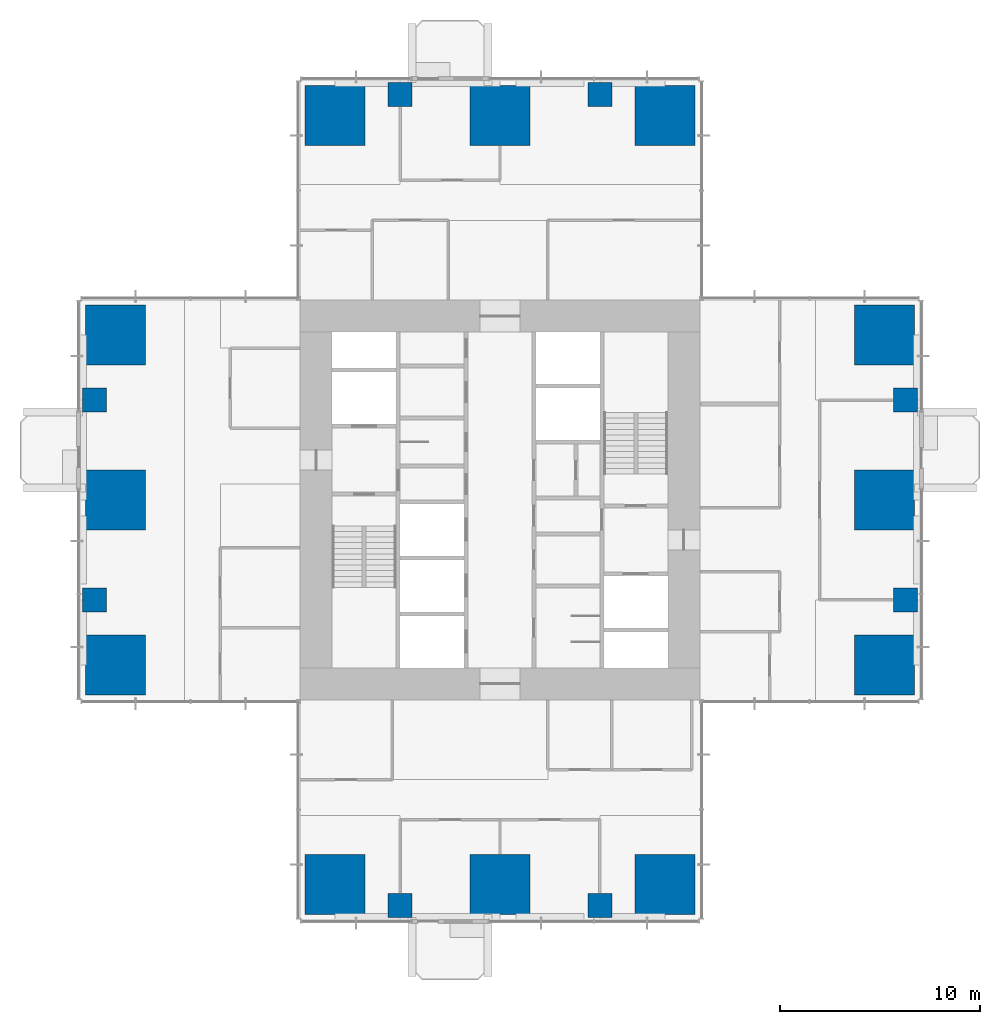
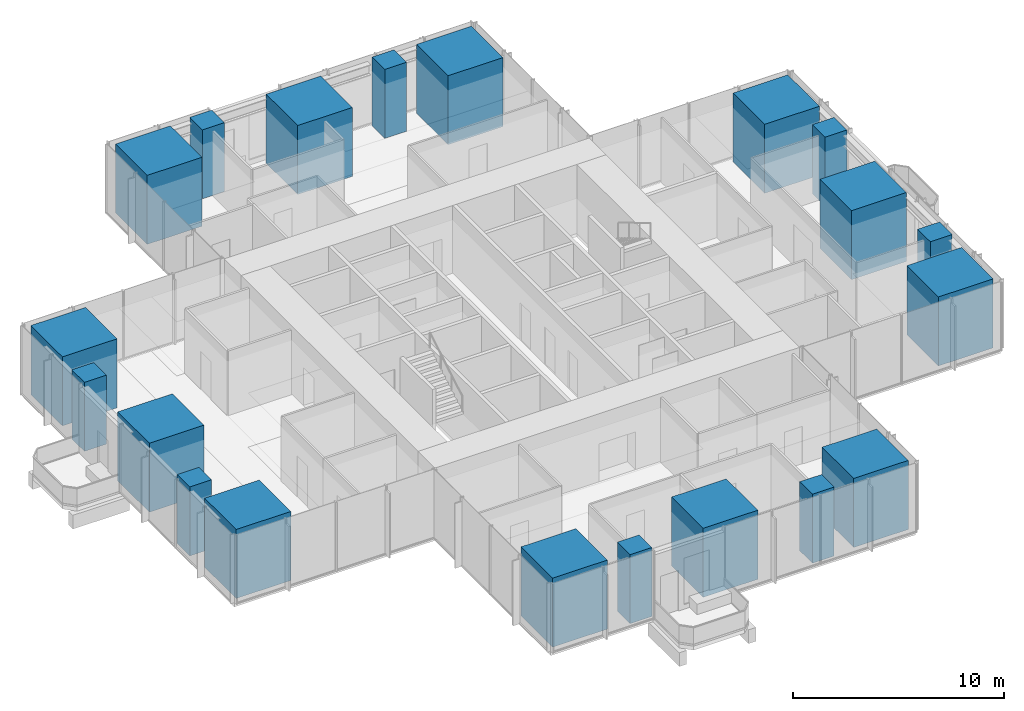
# One storey, part 1 of 13: 20 columns.
"""IFC4 building model written with IfcOpenShell, lengths in metres."""

from ifc_helpers import new_model, si_unit, direction, frame, origin, origin_2d, place, context, subcontext, project, spatial, rectangle, extrude, material, material_profile, profile_set, type_object, element, save


model = new_model("IFC4")

# Units and contexts
model_context = context("Model", 3, precision=1e-05, world=origin(), true_north=direction((0.0, 1.0)))
body_context = subcontext(model_context, "Body", "Model", "MODEL_VIEW")
ifc_project = project(units=[si_unit("LENGTHUNIT", "METRE"), si_unit("AREAUNIT", "SQUARE_METRE"), si_unit("VOLUMEUNIT", "CUBIC_METRE"), si_unit("PLANEANGLEUNIT", "RADIAN"), si_unit("MASSUNIT", "GRAM", prefix="KILO")], contexts=[model_context])

# Site, building, storey
site_placement = place(None, origin())
site = spatial("IfcSite", under=ifc_project, at=site_placement, CompositionType="ELEMENT")
building_placement = place(site_placement, origin())
building = spatial("IfcBuilding", under=site, at=building_placement, Name="Svetlomir Tower", CompositionType="ELEMENT")
storey_placement = place(building_placement, frame((0.0, 0.0, 116.5)))
storey = spatial("IfcBuildingStorey", under=building, at=storey_placement, Name="L27", CompositionType="ELEMENT", Elevation=116.5)

# Columns
ifc_material_1 = material(Name="Concrete C60/75", Category="concrete")
ifc_material_profile_1 = material_profile(ifc_material_1, rectangle(XDim=1.199951171875, YDim=1.199951171875, at=origin_2d()), Name="RC 1200x1200")
ifc_profile_set_1 = profile_set([ifc_material_profile_1], Name="Concrete C60/75")
column_type_1 = type_object("IfcColumnType", Name="COLUMN RC 1200x1200", PredefinedType="COLUMN", material=ifc_profile_set_1)
for number, where, z_axis, x_axis, name in (
    (1, (16.0, 0.699951171875, 0.0), (0.0, 0.0, 1.0), (1.0, 0.0, 0.0), "Column 16/0 L27"),
    (2, (26.0, 0.699951171875, 0.0), (0.0, 0.0, 1.0), (1.0, 0.0, 0.0), "Column 26/0 L27"),
    (3, (0.699951171875, 16.0, 0.0), (0.0, 0.0, 1.0), (1.0, 0.0, 0.0), "Column 0/16 L27"),
    (4, (41.300048828125, 16.0, 0.0), (0.0, 0.0, 1.0), (1.0, 0.0, 0.0), "Column 42/16 L27"),
    (5, (0.699951171875, 26.0, 0.0), (0.0, 0.0, 1.0), (1.0, 0.0, 0.0), "Column 0/26 L27"),
    (6, (41.300048828125, 26.0, 0.0), (0.0, 0.0, 1.0), (1.0, 0.0, 0.0), "Column 42/26 L27"),
    (7, (16.0, 41.300048828125, 0.0), (0.0, 0.0, 1.0), (1.0, 0.0, 0.0), "Column 16/42 L27"),
    (8, (26.0, 41.300048828125, 0.0), (0.0, 0.0, 1.0), (1.0, 0.0, 0.0), "Column 26/42 L27"),
):
    element("IfcColumn", number, at=place(storey_placement, frame(where, z_axis=z_axis, x_axis=x_axis)), inside=storey, type_object=column_type_1, Name=name, PredefinedType="COLUMN", context=body_context, shape_type="SweptSolid", body=[
        extrude(rectangle(XDim=1.199951171875, YDim=1.199951171875, at=origin_2d()), origin(), (0.0, 0.0, 1.0), 4.0),
    ])
ifc_material_2 = material(Name="Concrete C60/75", Category="concrete")
ifc_material_profile_2 = material_profile(ifc_material_2, rectangle(XDim=3.0, YDim=3.0, at=origin_2d()), Name="RC 3000x3000")
ifc_profile_set_2 = profile_set([ifc_material_profile_2], Name="Concrete C60/75")
column_type_2 = type_object("IfcColumnType", Name="COLUMN RC 3000x3000", PredefinedType="COLUMN", material=ifc_profile_set_2)
for number, where, z_axis, x_axis, name in (
    (9, (12.75, 1.75, 0.0), (0.0, 0.0, 1.0), (1.0, 0.0, 0.0), "Column 11/0 L27"),
    (10, (21.0, 1.75, 0.0), (0.0, 0.0, 1.0), (1.0, 0.0, 0.0), "Column 21/0 L27"),
    (11, (29.25, 1.75, 0.0), (0.0, 0.0, 1.0), (1.0, 0.0, 0.0), "Column 31/0 L27"),
    (12, (1.75, 12.75, 0.0), (0.0, 0.0, 1.0), (1.0, 0.0, 0.0), "Column 0/11 L27"),
    (13, (40.25, 12.75, 0.0), (0.0, 0.0, 1.0), (1.0, 0.0, 0.0), "Column 42/11 L27"),
    (14, (1.75, 21.0, 0.0), (0.0, 0.0, 1.0), (1.0, 0.0, 0.0), "Column 0/21 L27"),
    (15, (40.25, 21.0, 0.0), (0.0, 0.0, 1.0), (1.0, 0.0, 0.0), "Column 42/21 L27"),
    (16, (1.75, 29.25, 0.0), (0.0, 0.0, 1.0), (1.0, 0.0, 0.0), "Column 0/31 L27"),
    (17, (40.25, 29.25, 0.0), (0.0, 0.0, 1.0), (1.0, 0.0, 0.0), "Column 42/31 L27"),
    (18, (12.75, 40.25, 0.0), (0.0, 0.0, 1.0), (1.0, 0.0, 0.0), "Column 11/42 L27"),
    (19, (21.0, 40.25, 0.0), (0.0, 0.0, 1.0), (1.0, 0.0, 0.0), "Column 21/42 L27"),
    (20, (29.25, 40.25, 0.0), (0.0, 0.0, 1.0), (1.0, 0.0, 0.0), "Column 31/42 L27"),
):
    element("IfcColumn", number, at=place(storey_placement, frame(where, z_axis=z_axis, x_axis=x_axis)), inside=storey, type_object=column_type_2, Name=name, PredefinedType="COLUMN", context=body_context, shape_type="SweptSolid", body=[
        extrude(rectangle(XDim=3.0, YDim=3.0, at=origin_2d()), origin(), (0.0, 0.0, 1.0), 4.0),
    ])

save(model, "model.ifc")
